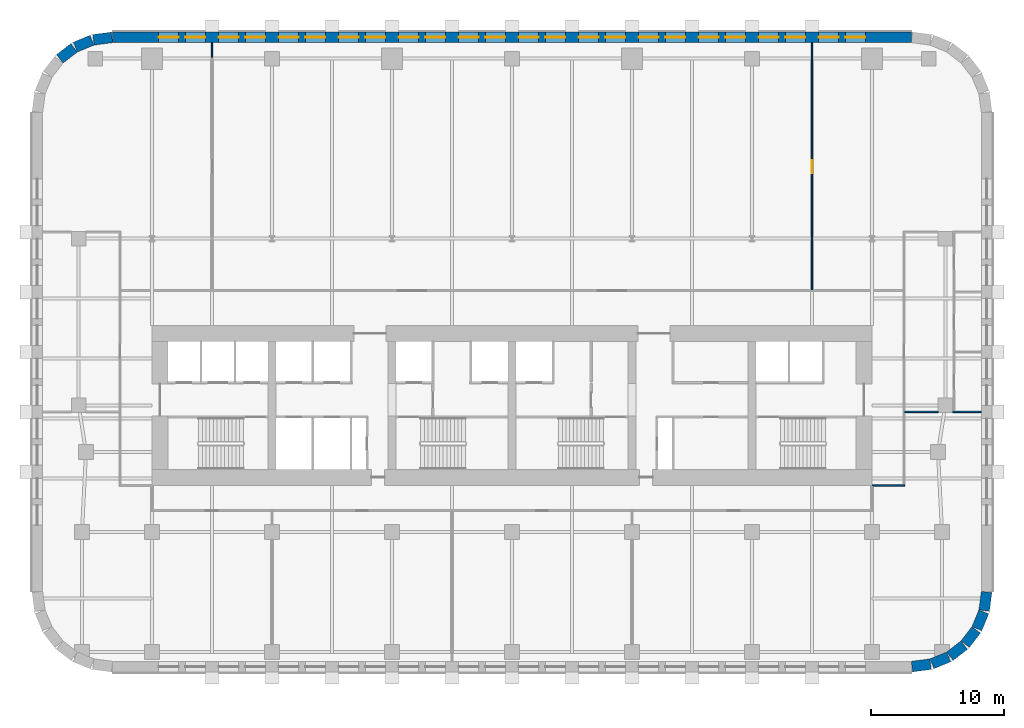
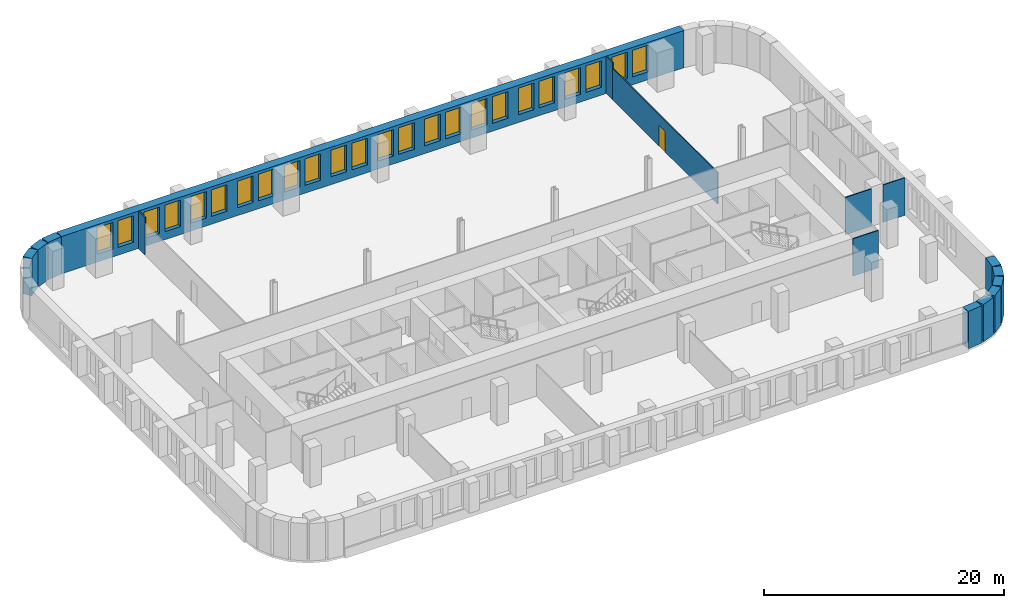
# One storey, part 7 of 11: 24 windows, 16 walls, 1 door, 25 openings.
"""IFC4 building model written with IfcOpenShell, lengths in metres."""

from ifc_helpers import new_model, si_unit, direction, frame, frame_2d, origin, place, context, subcontext, project, spatial, rectangle, extrude, material, layer, layer_set, type_object, element, fill, save


model = new_model("IFC4")

# Units and contexts
model_context = context("Model", 3, precision=1e-05, world=origin(), true_north=direction((0.0, 1.0)))
body_context = subcontext(model_context, "Body", "Model", "MODEL_VIEW")
ifc_project = project(units=[si_unit("LENGTHUNIT", "METRE"), si_unit("AREAUNIT", "SQUARE_METRE"), si_unit("VOLUMEUNIT", "CUBIC_METRE"), si_unit("PLANEANGLEUNIT", "RADIAN"), si_unit("MASSUNIT", "GRAM", prefix="KILO")], contexts=[model_context])

# Site, building, storey
site_placement = place(None, origin())
site = spatial("IfcSite", under=ifc_project, at=site_placement, CompositionType="ELEMENT")
building_placement = place(site_placement, origin())
building = spatial("IfcBuilding", under=site, at=building_placement, Name="Zellij Exchange Tower", CompositionType="ELEMENT")
storey_placement = place(building_placement, frame((0.0, 0.0, 56.5)))
storey = spatial("IfcBuildingStorey", under=building, at=storey_placement, Name="L10", CompositionType="ELEMENT", Elevation=56.5)

# Walls
ifc_material_1 = material(Name="Precast concrete C40/50", Category="concrete")
ifc_layer_1 = layer(ifc_material_1, 0.800048828125)
ifc_layer_set_1 = layer_set([ifc_layer_1], Name="Precast concrete C40/50")
wall_type_1 = type_object("IfcWallType", Name="ENV-EW1 Precast stone-piered wall 800", PredefinedType="SOLIDWALL", material=ifc_layer_set_1)
wall_1_placement = place(storey_placement, frame((29.999755859375, -27.5966796875, 0.0), z_axis=(0.0, 0.0, 1.0), x_axis=(0.99144603414, 0.130517283865, 0.0)))
element("IfcWall", 1, at=wall_1_placement, inside=storey, type_object=wall_type_1, Name="fac.L10.01", PredefinedType="SOLIDWALL", context=body_context, shape_type="SweptSolid", body=[
    extrude(rectangle(XDim=1.408447265625, YDim=0.800048828125, at=frame_2d((0.7041015625, 0.0))), origin(), (0.0, 0.0, 1.0), 3.800048828125),
])
wall_2_placement = place(storey_placement, frame((31.497314453125, -27.3857421875, 0.0), z_axis=(0.0, 0.0, 1.0), x_axis=(0.923847774587, 0.38276009378, 0.0)))
element("IfcWall", 2, at=wall_2_placement, inside=storey, type_object=wall_type_1, Name="fac.L10.02", PredefinedType="SOLIDWALL", context=body_context, shape_type="SweptSolid", body=[
    extrude(rectangle(XDim=1.35546875, YDim=0.800048828125, at=frame_2d((0.677734375, 0.0))), origin(), (0.0, 0.0, 1.0), 3.800048828125),
])
for number, where, z_axis, x_axis, name in (
    (3, (32.840087890625, -26.814697265625, 0.0), (0.0, 0.0, 1.0), (0.793272915452, 0.608866226366, 0.0), "fac.L10.03"),
    (4, (33.9892578125, -25.91552734375, 0.0), (0.0, 0.0, 1.0), (0.608866226366, 0.793272915452, 0.0), "fac.L10.04"),
):
    element("IfcWall", number, at=place(storey_placement, frame(where, z_axis=z_axis, x_axis=x_axis)), inside=storey, type_object=wall_type_1, Name=name, PredefinedType="SOLIDWALL", context=body_context, shape_type="SweptSolid", body=[
        extrude(rectangle(XDim=1.355712890625, YDim=0.800048828125, at=frame_2d((0.677734375, 0.0))), origin(), (0.0, 0.0, 1.0), 3.800048828125),
    ])
wall_3_placement = place(storey_placement, frame((34.866943359375, -24.74951171875, 0.0), z_axis=(0.0, 0.0, 1.0), x_axis=(0.38276009378, 0.923847774587, 0.0)))
element("IfcWall", 5, at=wall_3_placement, inside=storey, type_object=wall_type_1, Name="fac.L10.05", PredefinedType="SOLIDWALL", context=body_context, shape_type="SweptSolid", body=[
    extrude(rectangle(XDim=1.35546875, YDim=0.800048828125, at=frame_2d((0.677734375, 0.0))), origin(), (0.0, 0.0, 1.0), 3.800048828125),
])
wall_4_placement = place(storey_placement, frame((35.412841796875, -23.396240234375, 0.0), z_axis=(0.0, 0.0, 1.0), x_axis=(0.130517283865, 0.99144603414, 0.0)))
element("IfcWall", 6, at=wall_4_placement, inside=storey, type_object=wall_type_1, Name="fac.L10.06", PredefinedType="SOLIDWALL", context=body_context, shape_type="SweptSolid", body=[
    extrude(rectangle(XDim=1.408447265625, YDim=0.800048828125, at=frame_2d((0.7041015625, 0.0))), origin(), (0.0, 0.0, 1.0), 3.800048828125),
])

# Wall, openings, windows
wall_5_placement = place(storey_placement, frame((29.947509765625, 19.60009765625, 0.0), z_axis=(0.0, 0.0, 1.0), x_axis=(-1.0, 0.0, 0.0)))
wall_5 = element("IfcWall", 7, at=wall_5_placement, inside=storey, type_object=wall_type_1, Name="fac.L10.14", PredefinedType="SOLIDWALL", context=body_context, shape_type="SweptSolid", body=[
    extrude(rectangle(XDim=59.89501953125, YDim=0.800048828125, at=frame_2d((29.947509765625, 0.0))), origin(), (0.0, 0.0, 1.0), 3.800048828125),
])
opening_1_placement = place(wall_5_placement, frame((3.447509765625, 0.0, 0.800048828125)))
opening_1 = element("IfcOpeningElement", 8, at=opening_1_placement, cuts=wall_5, Name="Opening FZ1.37", PredefinedType="OPENING", context=body_context, shape_type="SweptSolid", body=[
    extrude(rectangle(XDim=1.5, YDim=2.699951171875, at=frame_2d((0.75, 1.35009765625))), frame((0.0, 0.412109375, 0.0), z_axis=(0.0, -1.0, 0.0), x_axis=(1.0, 0.0, 0.0)), (0.0, 0.0, 1.0), 0.823974609375),
])
opening_2_placement = place(wall_5_placement, frame((5.447509765625, 0.0, 0.800048828125)))
opening_2 = element("IfcOpeningElement", 9, at=opening_2_placement, cuts=wall_5, Name="Opening FZ1.38", PredefinedType="OPENING", context=body_context, shape_type="SweptSolid", body=[
    extrude(rectangle(XDim=1.5, YDim=2.699951171875, at=frame_2d((0.75, 1.35009765625))), frame((0.0, 0.412109375, 0.0), z_axis=(0.0, -1.0, 0.0), x_axis=(1.0, 0.0, 0.0)), (0.0, 0.0, 1.0), 0.823974609375),
])
opening_3_placement = place(wall_5_placement, frame((7.947509765625, 0.0, 0.800048828125)))
opening_3 = element("IfcOpeningElement", 10, at=opening_3_placement, cuts=wall_5, Name="Opening FZ1.39", PredefinedType="OPENING", context=body_context, shape_type="SweptSolid", body=[
    extrude(rectangle(XDim=1.5, YDim=2.699951171875, at=frame_2d((0.75, 1.35009765625))), frame((0.0, 0.412109375, 0.0), z_axis=(0.0, -1.0, 0.0), x_axis=(1.0, 0.0, 0.0)), (0.0, 0.0, 1.0), 0.823974609375),
])
opening_4_placement = place(wall_5_placement, frame((9.947509765625, 0.0, 0.800048828125)))
opening_4 = element("IfcOpeningElement", 11, at=opening_4_placement, cuts=wall_5, Name="Opening FZ1.40", PredefinedType="OPENING", context=body_context, shape_type="SweptSolid", body=[
    extrude(rectangle(XDim=1.5, YDim=2.699951171875, at=frame_2d((0.75, 1.35009765625))), frame((0.0, 0.412109375, 0.0), z_axis=(0.0, -1.0, 0.0), x_axis=(1.0, 0.0, 0.0)), (0.0, 0.0, 1.0), 0.823974609375),
])
opening_5_placement = place(wall_5_placement, frame((12.447509765625, 0.0, 0.800048828125)))
opening_5 = element("IfcOpeningElement", 12, at=opening_5_placement, cuts=wall_5, Name="Opening FZ1.41", PredefinedType="OPENING", context=body_context, shape_type="SweptSolid", body=[
    extrude(rectangle(XDim=1.5, YDim=2.699951171875, at=frame_2d((0.75, 1.35009765625))), frame((0.0, 0.412109375, 0.0), z_axis=(0.0, -1.0, 0.0), x_axis=(1.0, 0.0, 0.0)), (0.0, 0.0, 1.0), 0.823974609375),
])
opening_6_placement = place(wall_5_placement, frame((14.447509765625, 0.0, 0.800048828125)))
opening_6 = element("IfcOpeningElement", 13, at=opening_6_placement, cuts=wall_5, Name="Opening FZ1.42", PredefinedType="OPENING", context=body_context, shape_type="SweptSolid", body=[
    extrude(rectangle(XDim=1.5, YDim=2.699951171875, at=frame_2d((0.75, 1.35009765625))), frame((0.0, 0.412109375, 0.0), z_axis=(0.0, -1.0, 0.0), x_axis=(1.0, 0.0, 0.0)), (0.0, 0.0, 1.0), 0.823974609375),
])
opening_7_placement = place(wall_5_placement, frame((16.947509765625, 0.0, 0.800048828125)))
opening_7 = element("IfcOpeningElement", 14, at=opening_7_placement, cuts=wall_5, Name="Opening FZ1.43", PredefinedType="OPENING", context=body_context, shape_type="SweptSolid", body=[
    extrude(rectangle(XDim=1.5, YDim=2.699951171875, at=frame_2d((0.75, 1.35009765625))), frame((0.0, 0.412109375, 0.0), z_axis=(0.0, -1.0, 0.0), x_axis=(1.0, 0.0, 0.0)), (0.0, 0.0, 1.0), 0.823974609375),
])
opening_8_placement = place(wall_5_placement, frame((18.947509765625, 0.0, 0.800048828125)))
opening_8 = element("IfcOpeningElement", 15, at=opening_8_placement, cuts=wall_5, Name="Opening FZ1.44", PredefinedType="OPENING", context=body_context, shape_type="SweptSolid", body=[
    extrude(rectangle(XDim=1.5, YDim=2.699951171875, at=frame_2d((0.75, 1.35009765625))), frame((0.0, 0.412109375, 0.0), z_axis=(0.0, -1.0, 0.0), x_axis=(1.0, 0.0, 0.0)), (0.0, 0.0, 1.0), 0.823974609375),
])
opening_9_placement = place(wall_5_placement, frame((21.447509765625, 0.0, 0.800048828125)))
opening_9 = element("IfcOpeningElement", 16, at=opening_9_placement, cuts=wall_5, Name="Opening FZ1.45", PredefinedType="OPENING", context=body_context, shape_type="SweptSolid", body=[
    extrude(rectangle(XDim=1.5, YDim=2.699951171875, at=frame_2d((0.75, 1.35009765625))), frame((0.0, 0.412109375, 0.0), z_axis=(0.0, -1.0, 0.0), x_axis=(1.0, 0.0, 0.0)), (0.0, 0.0, 1.0), 0.823974609375),
])
opening_10_placement = place(wall_5_placement, frame((23.447509765625, 0.0, 0.800048828125)))
opening_10 = element("IfcOpeningElement", 17, at=opening_10_placement, cuts=wall_5, Name="Opening FZ1.46", PredefinedType="OPENING", context=body_context, shape_type="SweptSolid", body=[
    extrude(rectangle(XDim=1.5, YDim=2.699951171875, at=frame_2d((0.75, 1.35009765625))), frame((0.0, 0.412109375, 0.0), z_axis=(0.0, -1.0, 0.0), x_axis=(1.0, 0.0, 0.0)), (0.0, 0.0, 1.0), 0.823974609375),
])
opening_11_placement = place(wall_5_placement, frame((25.947509765625, 0.0, 0.800048828125)))
opening_11 = element("IfcOpeningElement", 18, at=opening_11_placement, cuts=wall_5, Name="Opening FZ1.47", PredefinedType="OPENING", context=body_context, shape_type="SweptSolid", body=[
    extrude(rectangle(XDim=1.5, YDim=2.699951171875, at=frame_2d((0.75, 1.35009765625))), frame((0.0, 0.412109375, 0.0), z_axis=(0.0, -1.0, 0.0), x_axis=(1.0, 0.0, 0.0)), (0.0, 0.0, 1.0), 0.823974609375),
])
opening_12_placement = place(wall_5_placement, frame((27.947509765625, 0.0, 0.800048828125)))
opening_12 = element("IfcOpeningElement", 19, at=opening_12_placement, cuts=wall_5, Name="Opening FZ1.48", PredefinedType="OPENING", context=body_context, shape_type="SweptSolid", body=[
    extrude(rectangle(XDim=1.5, YDim=2.699951171875, at=frame_2d((0.75, 1.35009765625))), frame((0.0, 0.412109375, 0.0), z_axis=(0.0, -1.0, 0.0), x_axis=(1.0, 0.0, 0.0)), (0.0, 0.0, 1.0), 0.823974609375),
])
opening_13_placement = place(wall_5_placement, frame((30.447509765625, 0.0, 0.800048828125)))
opening_13 = element("IfcOpeningElement", 20, at=opening_13_placement, cuts=wall_5, Name="Opening FZ1.49", PredefinedType="OPENING", context=body_context, shape_type="SweptSolid", body=[
    extrude(rectangle(XDim=1.5, YDim=2.699951171875, at=frame_2d((0.75, 1.35009765625))), frame((0.0, 0.412109375, 0.0), z_axis=(0.0, -1.0, 0.0), x_axis=(1.0, 0.0, 0.0)), (0.0, 0.0, 1.0), 0.823974609375),
])
opening_14_placement = place(wall_5_placement, frame((32.447509765625, 0.0, 0.800048828125)))
opening_14 = element("IfcOpeningElement", 21, at=opening_14_placement, cuts=wall_5, Name="Opening FZ1.50", PredefinedType="OPENING", context=body_context, shape_type="SweptSolid", body=[
    extrude(rectangle(XDim=1.5, YDim=2.699951171875, at=frame_2d((0.75, 1.35009765625))), frame((0.0, 0.412109375, 0.0), z_axis=(0.0, -1.0, 0.0), x_axis=(1.0, 0.0, 0.0)), (0.0, 0.0, 1.0), 0.823974609375),
])
opening_15_placement = place(wall_5_placement, frame((34.947509765625, 0.0, 0.800048828125)))
opening_15 = element("IfcOpeningElement", 22, at=opening_15_placement, cuts=wall_5, Name="Opening FZ1.51", PredefinedType="OPENING", context=body_context, shape_type="SweptSolid", body=[
    extrude(rectangle(XDim=1.5, YDim=2.699951171875, at=frame_2d((0.75, 1.35009765625))), frame((0.0, 0.412109375, 0.0), z_axis=(0.0, -1.0, 0.0), x_axis=(1.0, 0.0, 0.0)), (0.0, 0.0, 1.0), 0.823974609375),
])
opening_16_placement = place(wall_5_placement, frame((36.947509765625, 0.0, 0.800048828125)))
opening_16 = element("IfcOpeningElement", 23, at=opening_16_placement, cuts=wall_5, Name="Opening FZ1.52", PredefinedType="OPENING", context=body_context, shape_type="SweptSolid", body=[
    extrude(rectangle(XDim=1.5, YDim=2.699951171875, at=frame_2d((0.75, 1.35009765625))), frame((0.0, 0.412109375, 0.0), z_axis=(0.0, -1.0, 0.0), x_axis=(1.0, 0.0, 0.0)), (0.0, 0.0, 1.0), 0.823974609375),
])
opening_17_placement = place(wall_5_placement, frame((39.447509765625, 0.0, 0.800048828125)))
opening_17 = element("IfcOpeningElement", 24, at=opening_17_placement, cuts=wall_5, Name="Opening FZ1.53", PredefinedType="OPENING", context=body_context, shape_type="SweptSolid", body=[
    extrude(rectangle(XDim=1.5, YDim=2.699951171875, at=frame_2d((0.75, 1.35009765625))), frame((0.0, 0.412109375, 0.0), z_axis=(0.0, -1.0, 0.0), x_axis=(1.0, 0.0, 0.0)), (0.0, 0.0, 1.0), 0.823974609375),
])
opening_18_placement = place(wall_5_placement, frame((41.447509765625, 0.0, 0.800048828125)))
opening_18 = element("IfcOpeningElement", 25, at=opening_18_placement, cuts=wall_5, Name="Opening FZ1.54", PredefinedType="OPENING", context=body_context, shape_type="SweptSolid", body=[
    extrude(rectangle(XDim=1.5, YDim=2.699951171875, at=frame_2d((0.75, 1.35009765625))), frame((0.0, 0.412109375, 0.0), z_axis=(0.0, -1.0, 0.0), x_axis=(1.0, 0.0, 0.0)), (0.0, 0.0, 1.0), 0.823974609375),
])
opening_19_placement = place(wall_5_placement, frame((43.947509765625, 0.0, 0.800048828125)))
opening_19 = element("IfcOpeningElement", 26, at=opening_19_placement, cuts=wall_5, Name="Opening FZ1.55", PredefinedType="OPENING", context=body_context, shape_type="SweptSolid", body=[
    extrude(rectangle(XDim=1.5, YDim=2.699951171875, at=frame_2d((0.75, 1.35009765625))), frame((0.0, 0.412109375, 0.0), z_axis=(0.0, -1.0, 0.0), x_axis=(1.0, 0.0, 0.0)), (0.0, 0.0, 1.0), 0.823974609375),
])
opening_20_placement = place(wall_5_placement, frame((45.947509765625, 0.0, 0.800048828125)))
opening_20 = element("IfcOpeningElement", 27, at=opening_20_placement, cuts=wall_5, Name="Opening FZ1.56", PredefinedType="OPENING", context=body_context, shape_type="SweptSolid", body=[
    extrude(rectangle(XDim=1.5, YDim=2.699951171875, at=frame_2d((0.75, 1.35009765625))), frame((0.0, 0.412109375, 0.0), z_axis=(0.0, -1.0, 0.0), x_axis=(1.0, 0.0, 0.0)), (0.0, 0.0, 1.0), 0.823974609375),
])
opening_21_placement = place(wall_5_placement, frame((48.447509765625, 0.0, 0.800048828125)))
opening_21 = element("IfcOpeningElement", 28, at=opening_21_placement, cuts=wall_5, Name="Opening FZ1.57", PredefinedType="OPENING", context=body_context, shape_type="SweptSolid", body=[
    extrude(rectangle(XDim=1.5, YDim=2.699951171875, at=frame_2d((0.75, 1.35009765625))), frame((0.0, 0.412109375, 0.0), z_axis=(0.0, -1.0, 0.0), x_axis=(1.0, 0.0, 0.0)), (0.0, 0.0, 1.0), 0.823974609375),
])
opening_22_placement = place(wall_5_placement, frame((50.447509765625, 0.0, 0.800048828125)))
opening_22 = element("IfcOpeningElement", 29, at=opening_22_placement, cuts=wall_5, Name="Opening FZ1.58", PredefinedType="OPENING", context=body_context, shape_type="SweptSolid", body=[
    extrude(rectangle(XDim=1.5, YDim=2.699951171875, at=frame_2d((0.75, 1.35009765625))), frame((0.0, 0.412109375, 0.0), z_axis=(0.0, -1.0, 0.0), x_axis=(1.0, 0.0, 0.0)), (0.0, 0.0, 1.0), 0.823974609375),
])
opening_23_placement = place(wall_5_placement, frame((52.947509765625, 0.0, 0.800048828125)))
opening_23 = element("IfcOpeningElement", 30, at=opening_23_placement, cuts=wall_5, Name="Opening FZ1.59", PredefinedType="OPENING", context=body_context, shape_type="SweptSolid", body=[
    extrude(rectangle(XDim=1.5, YDim=2.699951171875, at=frame_2d((0.75, 1.35009765625))), frame((0.0, 0.412109375, 0.0), z_axis=(0.0, -1.0, 0.0), x_axis=(1.0, 0.0, 0.0)), (0.0, 0.0, 1.0), 0.823974609375),
])
opening_24_placement = place(wall_5_placement, frame((54.947509765625, 0.0, 0.800048828125)))
opening_24 = element("IfcOpeningElement", 31, at=opening_24_placement, cuts=wall_5, Name="Opening FZ1.60", PredefinedType="OPENING", context=body_context, shape_type="SweptSolid", body=[
    extrude(rectangle(XDim=1.5, YDim=2.699951171875, at=frame_2d((0.75, 1.35009765625))), frame((0.0, 0.412109375, 0.0), z_axis=(0.0, -1.0, 0.0), x_axis=(1.0, 0.0, 0.0)), (0.0, 0.0, 1.0), 0.823974609375),
])
ifc_material_2 = material(Name="Aluminium frame with insulating glass", Category="aluminium")
window_type = type_object("IfcWindowType", Name="ENV-W6 Window 1500x2700", PartitioningType="SINGLE_PANEL", PredefinedType="WINDOW", material=ifc_material_2)
window_1_placement = place(opening_1_placement, origin())
window_1 = element("IfcWindow", 32, at=window_1_placement, inside=storey, type_object=window_type, Name="Window FZ1.37", OverallHeight=2.699951171875, OverallWidth=1.5, PartitioningType="SINGLE_PANEL", PredefinedType="WINDOW", context=body_context, shape_type="SweptSolid", body=[
    extrude(rectangle(XDim=1.5, YDim=2.699951171875, at=frame_2d((0.75, 1.35009765625))), frame((0.0, 0.030029296875, 0.0), z_axis=(0.0, -1.0, 0.0), x_axis=(1.0, 0.0, 0.0)), (0.0, 0.0, 1.0), 0.06005859375),
])
fill(opening_1, window_1)
window_2_placement = place(opening_2_placement, origin())
window_2 = element("IfcWindow", 33, at=window_2_placement, inside=storey, type_object=window_type, Name="Window FZ1.38", OverallHeight=2.699951171875, OverallWidth=1.5, PartitioningType="SINGLE_PANEL", PredefinedType="WINDOW", context=body_context, shape_type="SweptSolid", body=[
    extrude(rectangle(XDim=1.5, YDim=2.699951171875, at=frame_2d((0.75, 1.35009765625))), frame((0.0, 0.030029296875, 0.0), z_axis=(0.0, -1.0, 0.0), x_axis=(1.0, 0.0, 0.0)), (0.0, 0.0, 1.0), 0.06005859375),
])
fill(opening_2, window_2)
window_3_placement = place(opening_3_placement, origin())
window_3 = element("IfcWindow", 34, at=window_3_placement, inside=storey, type_object=window_type, Name="Window FZ1.39", OverallHeight=2.699951171875, OverallWidth=1.5, PartitioningType="SINGLE_PANEL", PredefinedType="WINDOW", context=body_context, shape_type="SweptSolid", body=[
    extrude(rectangle(XDim=1.5, YDim=2.699951171875, at=frame_2d((0.75, 1.35009765625))), frame((0.0, 0.030029296875, 0.0), z_axis=(0.0, -1.0, 0.0), x_axis=(1.0, 0.0, 0.0)), (0.0, 0.0, 1.0), 0.06005859375),
])
fill(opening_3, window_3)
window_4_placement = place(opening_4_placement, origin())
window_4 = element("IfcWindow", 35, at=window_4_placement, inside=storey, type_object=window_type, Name="Window FZ1.40", OverallHeight=2.699951171875, OverallWidth=1.5, PartitioningType="SINGLE_PANEL", PredefinedType="WINDOW", context=body_context, shape_type="SweptSolid", body=[
    extrude(rectangle(XDim=1.5, YDim=2.699951171875, at=frame_2d((0.75, 1.35009765625))), frame((0.0, 0.030029296875, 0.0), z_axis=(0.0, -1.0, 0.0), x_axis=(1.0, 0.0, 0.0)), (0.0, 0.0, 1.0), 0.06005859375),
])
fill(opening_4, window_4)
window_5_placement = place(opening_5_placement, origin())
window_5 = element("IfcWindow", 36, at=window_5_placement, inside=storey, type_object=window_type, Name="Window FZ1.41", OverallHeight=2.699951171875, OverallWidth=1.5, PartitioningType="SINGLE_PANEL", PredefinedType="WINDOW", context=body_context, shape_type="SweptSolid", body=[
    extrude(rectangle(XDim=1.5, YDim=2.699951171875, at=frame_2d((0.75, 1.35009765625))), frame((0.0, 0.030029296875, 0.0), z_axis=(0.0, -1.0, 0.0), x_axis=(1.0, 0.0, 0.0)), (0.0, 0.0, 1.0), 0.06005859375),
])
fill(opening_5, window_5)
window_6_placement = place(opening_6_placement, origin())
window_6 = element("IfcWindow", 37, at=window_6_placement, inside=storey, type_object=window_type, Name="Window FZ1.42", OverallHeight=2.699951171875, OverallWidth=1.5, PartitioningType="SINGLE_PANEL", PredefinedType="WINDOW", context=body_context, shape_type="SweptSolid", body=[
    extrude(rectangle(XDim=1.5, YDim=2.699951171875, at=frame_2d((0.75, 1.35009765625))), frame((0.0, 0.030029296875, 0.0), z_axis=(0.0, -1.0, 0.0), x_axis=(1.0, 0.0, 0.0)), (0.0, 0.0, 1.0), 0.06005859375),
])
fill(opening_6, window_6)
window_7_placement = place(opening_7_placement, origin())
window_7 = element("IfcWindow", 38, at=window_7_placement, inside=storey, type_object=window_type, Name="Window FZ1.43", OverallHeight=2.699951171875, OverallWidth=1.5, PartitioningType="SINGLE_PANEL", PredefinedType="WINDOW", context=body_context, shape_type="SweptSolid", body=[
    extrude(rectangle(XDim=1.5, YDim=2.699951171875, at=frame_2d((0.75, 1.35009765625))), frame((0.0, 0.030029296875, 0.0), z_axis=(0.0, -1.0, 0.0), x_axis=(1.0, 0.0, 0.0)), (0.0, 0.0, 1.0), 0.06005859375),
])
fill(opening_7, window_7)
window_8_placement = place(opening_8_placement, origin())
window_8 = element("IfcWindow", 39, at=window_8_placement, inside=storey, type_object=window_type, Name="Window FZ1.44", OverallHeight=2.699951171875, OverallWidth=1.5, PartitioningType="SINGLE_PANEL", PredefinedType="WINDOW", context=body_context, shape_type="SweptSolid", body=[
    extrude(rectangle(XDim=1.5, YDim=2.699951171875, at=frame_2d((0.75, 1.35009765625))), frame((0.0, 0.030029296875, 0.0), z_axis=(0.0, -1.0, 0.0), x_axis=(1.0, 0.0, 0.0)), (0.0, 0.0, 1.0), 0.06005859375),
])
fill(opening_8, window_8)
window_9_placement = place(opening_9_placement, origin())
window_9 = element("IfcWindow", 40, at=window_9_placement, inside=storey, type_object=window_type, Name="Window FZ1.45", OverallHeight=2.699951171875, OverallWidth=1.5, PartitioningType="SINGLE_PANEL", PredefinedType="WINDOW", context=body_context, shape_type="SweptSolid", body=[
    extrude(rectangle(XDim=1.5, YDim=2.699951171875, at=frame_2d((0.75, 1.35009765625))), frame((0.0, 0.030029296875, 0.0), z_axis=(0.0, -1.0, 0.0), x_axis=(1.0, 0.0, 0.0)), (0.0, 0.0, 1.0), 0.06005859375),
])
fill(opening_9, window_9)
window_10_placement = place(opening_10_placement, origin())
window_10 = element("IfcWindow", 41, at=window_10_placement, inside=storey, type_object=window_type, Name="Window FZ1.46", OverallHeight=2.699951171875, OverallWidth=1.5, PartitioningType="SINGLE_PANEL", PredefinedType="WINDOW", context=body_context, shape_type="SweptSolid", body=[
    extrude(rectangle(XDim=1.5, YDim=2.699951171875, at=frame_2d((0.75, 1.35009765625))), frame((0.0, 0.030029296875, 0.0), z_axis=(0.0, -1.0, 0.0), x_axis=(1.0, 0.0, 0.0)), (0.0, 0.0, 1.0), 0.06005859375),
])
fill(opening_10, window_10)
window_11_placement = place(opening_11_placement, origin())
window_11 = element("IfcWindow", 42, at=window_11_placement, inside=storey, type_object=window_type, Name="Window FZ1.47", OverallHeight=2.699951171875, OverallWidth=1.5, PartitioningType="SINGLE_PANEL", PredefinedType="WINDOW", context=body_context, shape_type="SweptSolid", body=[
    extrude(rectangle(XDim=1.5, YDim=2.699951171875, at=frame_2d((0.75, 1.35009765625))), frame((0.0, 0.030029296875, 0.0), z_axis=(0.0, -1.0, 0.0), x_axis=(1.0, 0.0, 0.0)), (0.0, 0.0, 1.0), 0.06005859375),
])
fill(opening_11, window_11)
window_12_placement = place(opening_12_placement, origin())
window_12 = element("IfcWindow", 43, at=window_12_placement, inside=storey, type_object=window_type, Name="Window FZ1.48", OverallHeight=2.699951171875, OverallWidth=1.5, PartitioningType="SINGLE_PANEL", PredefinedType="WINDOW", context=body_context, shape_type="SweptSolid", body=[
    extrude(rectangle(XDim=1.5, YDim=2.699951171875, at=frame_2d((0.75, 1.35009765625))), frame((0.0, 0.030029296875, 0.0), z_axis=(0.0, -1.0, 0.0), x_axis=(1.0, 0.0, 0.0)), (0.0, 0.0, 1.0), 0.06005859375),
])
fill(opening_12, window_12)
window_13_placement = place(opening_13_placement, origin())
window_13 = element("IfcWindow", 44, at=window_13_placement, inside=storey, type_object=window_type, Name="Window FZ1.49", OverallHeight=2.699951171875, OverallWidth=1.5, PartitioningType="SINGLE_PANEL", PredefinedType="WINDOW", context=body_context, shape_type="SweptSolid", body=[
    extrude(rectangle(XDim=1.5, YDim=2.699951171875, at=frame_2d((0.75, 1.35009765625))), frame((0.0, 0.030029296875, 0.0), z_axis=(0.0, -1.0, 0.0), x_axis=(1.0, 0.0, 0.0)), (0.0, 0.0, 1.0), 0.06005859375),
])
fill(opening_13, window_13)
window_14_placement = place(opening_14_placement, origin())
window_14 = element("IfcWindow", 45, at=window_14_placement, inside=storey, type_object=window_type, Name="Window FZ1.50", OverallHeight=2.699951171875, OverallWidth=1.5, PartitioningType="SINGLE_PANEL", PredefinedType="WINDOW", context=body_context, shape_type="SweptSolid", body=[
    extrude(rectangle(XDim=1.5, YDim=2.699951171875, at=frame_2d((0.75, 1.35009765625))), frame((0.0, 0.030029296875, 0.0), z_axis=(0.0, -1.0, 0.0), x_axis=(1.0, 0.0, 0.0)), (0.0, 0.0, 1.0), 0.06005859375),
])
fill(opening_14, window_14)
window_15_placement = place(opening_15_placement, origin())
window_15 = element("IfcWindow", 46, at=window_15_placement, inside=storey, type_object=window_type, Name="Window FZ1.51", OverallHeight=2.699951171875, OverallWidth=1.5, PartitioningType="SINGLE_PANEL", PredefinedType="WINDOW", context=body_context, shape_type="SweptSolid", body=[
    extrude(rectangle(XDim=1.5, YDim=2.699951171875, at=frame_2d((0.75, 1.35009765625))), frame((0.0, 0.030029296875, 0.0), z_axis=(0.0, -1.0, 0.0), x_axis=(1.0, 0.0, 0.0)), (0.0, 0.0, 1.0), 0.06005859375),
])
fill(opening_15, window_15)
window_16_placement = place(opening_16_placement, origin())
window_16 = element("IfcWindow", 47, at=window_16_placement, inside=storey, type_object=window_type, Name="Window FZ1.52", OverallHeight=2.699951171875, OverallWidth=1.5, PartitioningType="SINGLE_PANEL", PredefinedType="WINDOW", context=body_context, shape_type="SweptSolid", body=[
    extrude(rectangle(XDim=1.5, YDim=2.699951171875, at=frame_2d((0.75, 1.35009765625))), frame((0.0, 0.030029296875, 0.0), z_axis=(0.0, -1.0, 0.0), x_axis=(1.0, 0.0, 0.0)), (0.0, 0.0, 1.0), 0.06005859375),
])
fill(opening_16, window_16)
window_17_placement = place(opening_17_placement, origin())
window_17 = element("IfcWindow", 48, at=window_17_placement, inside=storey, type_object=window_type, Name="Window FZ1.53", OverallHeight=2.699951171875, OverallWidth=1.5, PartitioningType="SINGLE_PANEL", PredefinedType="WINDOW", context=body_context, shape_type="SweptSolid", body=[
    extrude(rectangle(XDim=1.5, YDim=2.699951171875, at=frame_2d((0.75, 1.35009765625))), frame((0.0, 0.030029296875, 0.0), z_axis=(0.0, -1.0, 0.0), x_axis=(1.0, 0.0, 0.0)), (0.0, 0.0, 1.0), 0.06005859375),
])
fill(opening_17, window_17)
window_18_placement = place(opening_18_placement, origin())
window_18 = element("IfcWindow", 49, at=window_18_placement, inside=storey, type_object=window_type, Name="Window FZ1.54", OverallHeight=2.699951171875, OverallWidth=1.5, PartitioningType="SINGLE_PANEL", PredefinedType="WINDOW", context=body_context, shape_type="SweptSolid", body=[
    extrude(rectangle(XDim=1.5, YDim=2.699951171875, at=frame_2d((0.75, 1.35009765625))), frame((0.0, 0.030029296875, 0.0), z_axis=(0.0, -1.0, 0.0), x_axis=(1.0, 0.0, 0.0)), (0.0, 0.0, 1.0), 0.06005859375),
])
fill(opening_18, window_18)
window_19_placement = place(opening_19_placement, origin())
window_19 = element("IfcWindow", 50, at=window_19_placement, inside=storey, type_object=window_type, Name="Window FZ1.55", OverallHeight=2.699951171875, OverallWidth=1.5, PartitioningType="SINGLE_PANEL", PredefinedType="WINDOW", context=body_context, shape_type="SweptSolid", body=[
    extrude(rectangle(XDim=1.5, YDim=2.699951171875, at=frame_2d((0.75, 1.35009765625))), frame((0.0, 0.030029296875, 0.0), z_axis=(0.0, -1.0, 0.0), x_axis=(1.0, 0.0, 0.0)), (0.0, 0.0, 1.0), 0.06005859375),
])
fill(opening_19, window_19)
window_20_placement = place(opening_20_placement, origin())
window_20 = element("IfcWindow", 51, at=window_20_placement, inside=storey, type_object=window_type, Name="Window FZ1.56", OverallHeight=2.699951171875, OverallWidth=1.5, PartitioningType="SINGLE_PANEL", PredefinedType="WINDOW", context=body_context, shape_type="SweptSolid", body=[
    extrude(rectangle(XDim=1.5, YDim=2.699951171875, at=frame_2d((0.75, 1.35009765625))), frame((0.0, 0.030029296875, 0.0), z_axis=(0.0, -1.0, 0.0), x_axis=(1.0, 0.0, 0.0)), (0.0, 0.0, 1.0), 0.06005859375),
])
fill(opening_20, window_20)
window_21_placement = place(opening_21_placement, origin())
window_21 = element("IfcWindow", 52, at=window_21_placement, inside=storey, type_object=window_type, Name="Window FZ1.57", OverallHeight=2.699951171875, OverallWidth=1.5, PartitioningType="SINGLE_PANEL", PredefinedType="WINDOW", context=body_context, shape_type="SweptSolid", body=[
    extrude(rectangle(XDim=1.5, YDim=2.699951171875, at=frame_2d((0.75, 1.35009765625))), frame((0.0, 0.030029296875, 0.0), z_axis=(0.0, -1.0, 0.0), x_axis=(1.0, 0.0, 0.0)), (0.0, 0.0, 1.0), 0.06005859375),
])
fill(opening_21, window_21)
window_22_placement = place(opening_22_placement, origin())
window_22 = element("IfcWindow", 53, at=window_22_placement, inside=storey, type_object=window_type, Name="Window FZ1.58", OverallHeight=2.699951171875, OverallWidth=1.5, PartitioningType="SINGLE_PANEL", PredefinedType="WINDOW", context=body_context, shape_type="SweptSolid", body=[
    extrude(rectangle(XDim=1.5, YDim=2.699951171875, at=frame_2d((0.75, 1.35009765625))), frame((0.0, 0.030029296875, 0.0), z_axis=(0.0, -1.0, 0.0), x_axis=(1.0, 0.0, 0.0)), (0.0, 0.0, 1.0), 0.06005859375),
])
fill(opening_22, window_22)
window_23_placement = place(opening_23_placement, origin())
window_23 = element("IfcWindow", 54, at=window_23_placement, inside=storey, type_object=window_type, Name="Window FZ1.59", OverallHeight=2.699951171875, OverallWidth=1.5, PartitioningType="SINGLE_PANEL", PredefinedType="WINDOW", context=body_context, shape_type="SweptSolid", body=[
    extrude(rectangle(XDim=1.5, YDim=2.699951171875, at=frame_2d((0.75, 1.35009765625))), frame((0.0, 0.030029296875, 0.0), z_axis=(0.0, -1.0, 0.0), x_axis=(1.0, 0.0, 0.0)), (0.0, 0.0, 1.0), 0.06005859375),
])
fill(opening_23, window_23)
window_24_placement = place(opening_24_placement, origin())
window_24 = element("IfcWindow", 55, at=window_24_placement, inside=storey, type_object=window_type, Name="Window FZ1.60", OverallHeight=2.699951171875, OverallWidth=1.5, PartitioningType="SINGLE_PANEL", PredefinedType="WINDOW", context=body_context, shape_type="SweptSolid", body=[
    extrude(rectangle(XDim=1.5, YDim=2.699951171875, at=frame_2d((0.75, 1.35009765625))), frame((0.0, 0.030029296875, 0.0), z_axis=(0.0, -1.0, 0.0), x_axis=(1.0, 0.0, 0.0)), (0.0, 0.0, 1.0), 0.06005859375),
])
fill(opening_24, window_24)

# Walls
wall_6_placement = place(storey_placement, frame((-29.999755859375, 19.5966796875, 0.0), z_axis=(0.0, 0.0, 1.0), x_axis=(-0.99144603414, -0.130517283865, 0.0)))
element("IfcWall", 56, at=wall_6_placement, inside=storey, type_object=wall_type_1, Name="fac.L10.15", PredefinedType="SOLIDWALL", context=body_context, shape_type="SweptSolid", body=[
    extrude(rectangle(XDim=1.408447265625, YDim=0.800048828125, at=frame_2d((0.7041015625, 0.0))), origin(), (0.0, 0.0, 1.0), 3.800048828125),
])
wall_7_placement = place(storey_placement, frame((-31.497314453125, 19.3857421875, 0.0), z_axis=(0.0, 0.0, 1.0), x_axis=(-0.923847774587, -0.38276009378, 0.0)))
element("IfcWall", 57, at=wall_7_placement, inside=storey, type_object=wall_type_1, Name="fac.L10.16", PredefinedType="SOLIDWALL", context=body_context, shape_type="SweptSolid", body=[
    extrude(rectangle(XDim=1.35546875, YDim=0.800048828125, at=frame_2d((0.677734375, 0.0))), origin(), (0.0, 0.0, 1.0), 3.800048828125),
])
wall_8_placement = place(storey_placement, frame((-32.840087890625, 18.814697265625, 0.0), z_axis=(0.0, 0.0, 1.0), x_axis=(-0.793272915452, -0.608866226366, 0.0)))
element("IfcWall", 58, at=wall_8_placement, inside=storey, type_object=wall_type_1, Name="fac.L10.17", PredefinedType="SOLIDWALL", context=body_context, shape_type="SweptSolid", body=[
    extrude(rectangle(XDim=1.355712890625, YDim=0.800048828125, at=frame_2d((0.677734375, 0.0))), origin(), (0.0, 0.0, 1.0), 3.800048828125),
])
ifc_material_3 = material(Name="Gypsum board partition on steel studs", Category="steel")
ifc_layer_2 = layer(ifc_material_3, 0.10009765625)
ifc_layer_set_2 = layer_set([ifc_layer_2], Name="Gypsum board partition on steel studs")
wall_type_2 = type_object("IfcWallType", Name="FIT-PARTITION-100", PredefinedType="PARTITIONING", material=ifc_layer_set_2)
wall_9_placement = place(storey_placement, frame((27.0, -14.0, 0.0), z_axis=(0.0, 0.0, 1.0), x_axis=(1.0, 0.0, 0.0)))
element("IfcWall", 59, at=wall_9_placement, inside=storey, type_object=wall_type_2, Name="FIT-PARTITION-100 012", PredefinedType="PARTITIONING", context=body_context, shape_type="SweptSolid", body=[
    extrude(rectangle(XDim=2.449951171875, YDim=0.10009765625, at=frame_2d((1.22509765625, 0.0))), origin(), (0.0, 0.0, 1.0), 3.800048828125),
])
wall_10_placement = place(storey_placement, frame((29.449951171875, -8.489990234375, 0.0), z_axis=(0.0, 0.0, 1.0), x_axis=(1.0, 0.0, 0.0)))
element("IfcWall", 60, at=wall_10_placement, inside=storey, type_object=wall_type_2, Name="FIT-PARTITION-100 016", PredefinedType="PARTITIONING", context=body_context, shape_type="SweptSolid", body=[
    extrude(rectangle(XDim=2.5, YDim=0.10009765625, at=frame_2d((1.25, 0.0))), origin(), (0.0, 0.0, 1.0), 3.800048828125),
])
wall_11_placement = place(storey_placement, frame((33.050048828125, -8.489990234375, 0.0), z_axis=(0.0, 0.0, 1.0), x_axis=(1.0, 0.0, 0.0)))
element("IfcWall", 61, at=wall_11_placement, inside=storey, type_object=wall_type_2, Name="FIT-PARTITION-100 017", PredefinedType="PARTITIONING", context=body_context, shape_type="SweptSolid", body=[
    extrude(rectangle(XDim=2.14990234375, YDim=0.10009765625, at=frame_2d((1.074951171875, 0.0))), origin(), (0.0, 0.0, 1.0), 3.800048828125),
])
wall_12_placement = place(storey_placement, frame((-22.5, 18.114501953125, 0.0), z_axis=(0.0, 0.0, 1.0), x_axis=(0.0, 1.0, 0.0)))
element("IfcWall", 62, at=wall_12_placement, inside=storey, type_object=wall_type_2, Name="FIT-PARTITION-100 023", PredefinedType="PARTITIONING", context=body_context, shape_type="SweptSolid", body=[
    extrude(rectangle(XDim=1.08544921875, YDim=0.10009765625, at=frame_2d((0.542724609375, 0.0))), origin(), (0.0, 0.0, 1.0), 3.800048828125),
])

# Wall, opening, door
wall_13_placement = place(storey_placement, frame((22.5, 0.64990234375, 0.0), z_axis=(0.0, 0.0, 1.0), x_axis=(0.0, 1.0, 0.0)))
wall_13 = element("IfcWall", 63, at=wall_13_placement, inside=storey, type_object=wall_type_2, Name="FIT-PARTITION-100 024", PredefinedType="PARTITIONING", context=body_context, shape_type="SweptSolid", body=[
    extrude(rectangle(XDim=17.464599609375, YDim=0.10009765625, at=frame_2d((8.732421875, 0.0))), origin(), (0.0, 0.0, 1.0), 3.197998046875),
])
opening_25_placement = place(wall_13_placement, frame((8.75, 0.0, 0.0)))
opening_25 = element("IfcOpeningElement", 64, at=opening_25_placement, cuts=wall_13, Name="Opening TA.13", PredefinedType="OPENING", context=body_context, shape_type="SweptSolid", body=[
    extrude(rectangle(XDim=1.0, YDim=2.10009765625, at=frame_2d((0.5, 1.050048828125))), frame((0.0, 0.06201171875, 0.0), z_axis=(0.0, -1.0, 0.0), x_axis=(1.0, 0.0, 0.0)), (0.0, 0.0, 1.0), 0.1240234375),
])
ifc_material_4 = material(Name="Timber door set", Category="wood")
door_type = type_object("IfcDoorType", Name="FIT-D2-WIDE-1000X2100", OperationType="SINGLE_SWING_LEFT", PredefinedType="DOOR", material=ifc_material_4)
door_placement = place(opening_25_placement, origin())
door = element("IfcDoor", 65, at=door_placement, inside=storey, type_object=door_type, Name="Door TA.13", OperationType="SINGLE_SWING_RIGHT", OverallHeight=2.10009765625, OverallWidth=1.0, PredefinedType="DOOR", context=body_context, shape_type="SweptSolid", body=[
    extrude(rectangle(XDim=1.0, YDim=2.10009765625, at=frame_2d((0.5, 1.050048828125))), frame((0.0, 0.02490234375, 0.0), z_axis=(0.0, -1.0, 0.0), x_axis=(1.0, 0.0, 0.0)), (0.0, 0.0, 1.0), 0.050048828125),
])
fill(opening_25, door)

# Wall
wall_14_placement = place(storey_placement, frame((22.5, 18.114501953125, 0.0), z_axis=(0.0, 0.0, 1.0), x_axis=(0.0, 1.0, 0.0)))
element("IfcWall", 66, at=wall_14_placement, inside=storey, type_object=wall_type_2, Name="FIT-PARTITION-100 025", PredefinedType="PARTITIONING", context=body_context, shape_type="SweptSolid", body=[
    extrude(rectangle(XDim=1.08544921875, YDim=0.10009765625, at=frame_2d((0.542724609375, 0.0))), origin(), (0.0, 0.0, 1.0), 3.800048828125),
])

save(model, "model.ifc")
